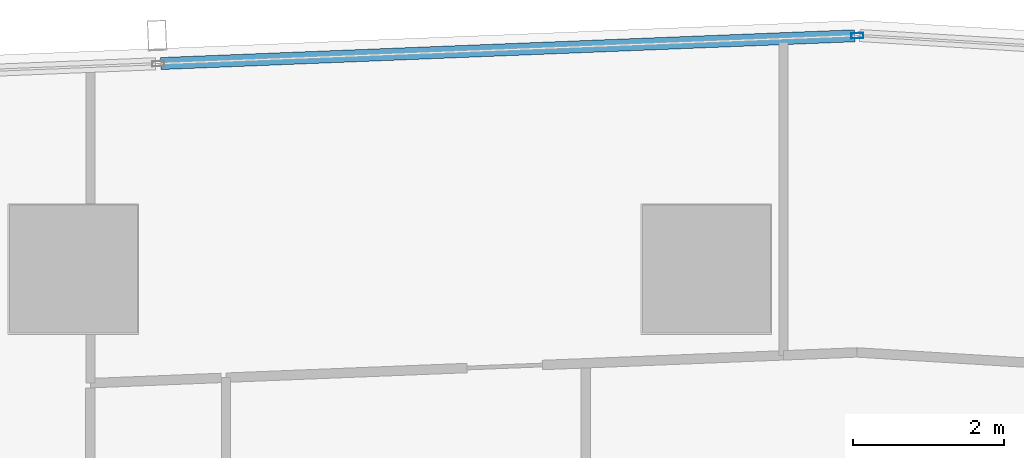
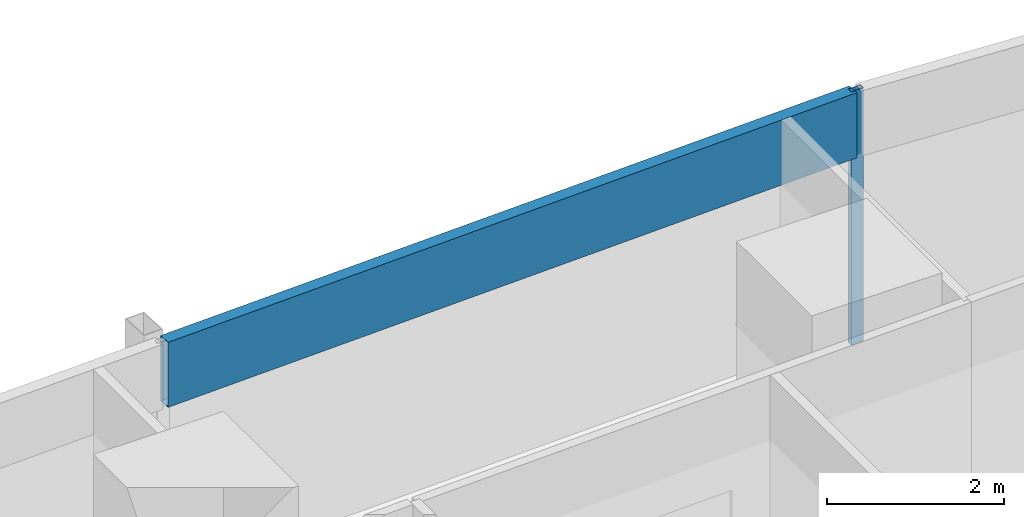
# One storey, part 21 of 40: 2 members, 1 element without a shape of its own.
"""IFC4 building model written with IfcOpenShell, lengths in metres."""

from ifc_helpers import new_model, si_unit, direction, frame, origin, origin_2d, place, context, subcontext, project, spatial, hollow_rectangle, extrude, material, material_profile, profile_set, type_object, element, aggregate, save


model = new_model("IFC4")

# Units and contexts
model_context = context("Model", 3, precision=1e-05, world=origin(), true_north=direction((0.0, 1.0)))
body_context = subcontext(model_context, "Body", "Model", "MODEL_VIEW")
ifc_project = project(units=[si_unit("LENGTHUNIT", "METRE"), si_unit("AREAUNIT", "SQUARE_METRE"), si_unit("VOLUMEUNIT", "CUBIC_METRE"), si_unit("PLANEANGLEUNIT", "RADIAN"), si_unit("MASSUNIT", "GRAM", prefix="KILO")], contexts=[model_context])

# Site, building, storey
site_placement = place(None, origin())
site = spatial("IfcSite", under=ifc_project, at=site_placement, CompositionType="ELEMENT")
building_placement = place(site_placement, origin())
building = spatial("IfcBuilding", under=site, at=building_placement, Name="Rekha Terrace Tower", CompositionType="ELEMENT")
storey_placement = place(building_placement, frame((0.0, 0.0, 125.300048828125)))
storey = spatial("IfcBuildingStorey", under=building, at=storey_placement, Name="L31", CompositionType="ELEMENT", Elevation=125.300048828125)

# Curtain wall, members
ifc_material_1 = material(Name="Aluminium framing", Category="aluminium")
curtain_wall_type = type_object("IfcCurtainWallType", Name="CW3 north unitised glazing", PredefinedType="USERDEFINED", material=ifc_material_1)
curtain_wall_placement = place(storey_placement, origin())
curtain_wall = element("IfcCurtainWall", 1, at=curtain_wall_placement, inside=storey, type_object=curtain_wall_type, Name="CW3 unitised curtain wall", ObjectType="UNITISED CURTAIN WALL", PredefinedType="USERDEFINED")
ifc_material_2 = material(Name="Aluminium mullion section", Category="aluminium")
ifc_material_profile_1 = material_profile(ifc_material_2, hollow_rectangle(XDim=0.070068359375, YDim=0.159912109375, WallThickness=0.00390625, at=origin_2d()), Name="AL RHS 70x160")
ifc_profile_set_1 = profile_set([ifc_material_profile_1], Name="Aluminium mullion section")
member_type_1 = type_object("IfcMemberType", Name="CW3 mullion RHS 70 x 160", PredefinedType="MULLION", material=ifc_profile_set_1)
member_1_placement = place(storey_placement, frame((44.0029296875, 61.8984375, 0.0), z_axis=(0.0, 0.0, 1.0), x_axis=(0.040031987119, -0.999198398721, 0.0)))
member_1 = element("IfcMember", 2, at=member_1_placement, type_object=member_type_1, Name="CW3 mullion 1", PredefinedType="MULLION", context=body_context, shape_type="SweptSolid", body=[
    extrude(hollow_rectangle(XDim=0.070068359375, YDim=0.159912109375, WallThickness=0.00390625, at=origin_2d()), origin(), (0.0, 0.0, 1.0), 3.5),
])
ifc_material_3 = material(Name="Insulated aluminium spandrel box", Category="aluminium")
ifc_material_profile_2 = material_profile(ifc_material_3, hollow_rectangle(XDim=0.159912109375, YDim=0.89990234375, WallThickness=0.0029296875, at=origin_2d()), Name="AL SPANDREL BOX 160x900")
ifc_profile_set_2 = profile_set([ifc_material_profile_2], Name="Insulated aluminium spandrel box")
member_type_2 = type_object("IfcMemberType", Name="CW3 spandrel transom 160 x 900", PredefinedType="USERDEFINED", material=ifc_profile_set_2)
member_2_placement = place(storey_placement, frame((43.968017578125, 61.89697265625, 3.050048828125), z_axis=(-0.999198290018, -0.04003470026, 0.0), x_axis=(0.04003470026, -0.999198290018, 0.0)))
member_2 = element("IfcMember", 3, at=member_2_placement, type_object=member_type_2, Name="CW3 spandrel transom 1", ObjectType="TRANSOM", PredefinedType="USERDEFINED", context=body_context, shape_type="SweptSolid", body=[
    extrude(hollow_rectangle(XDim=0.159912109375, YDim=0.89990234375, WallThickness=0.0029296875, at=origin_2d()), origin(), (0.0, 0.0, 1.0), 9.21435546875),
])
aggregate(curtain_wall, [member_1, member_2])

save(model, "model.ifc")
